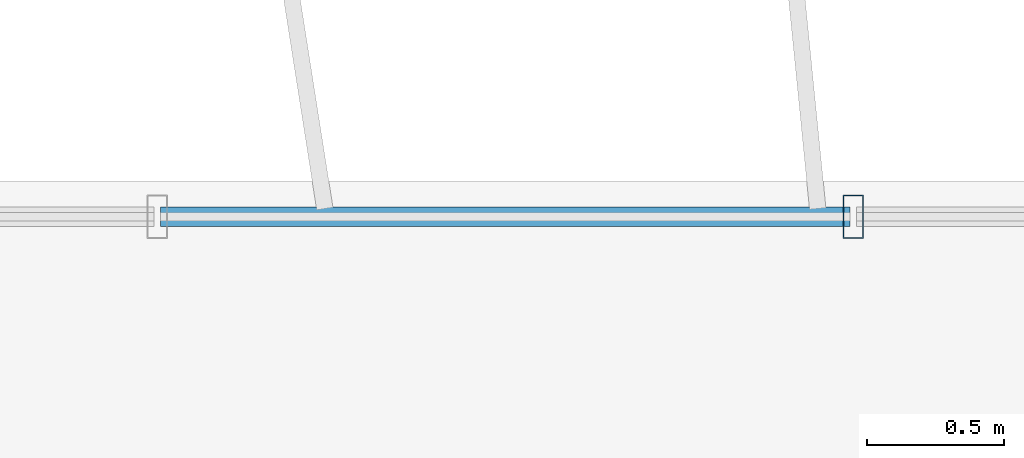
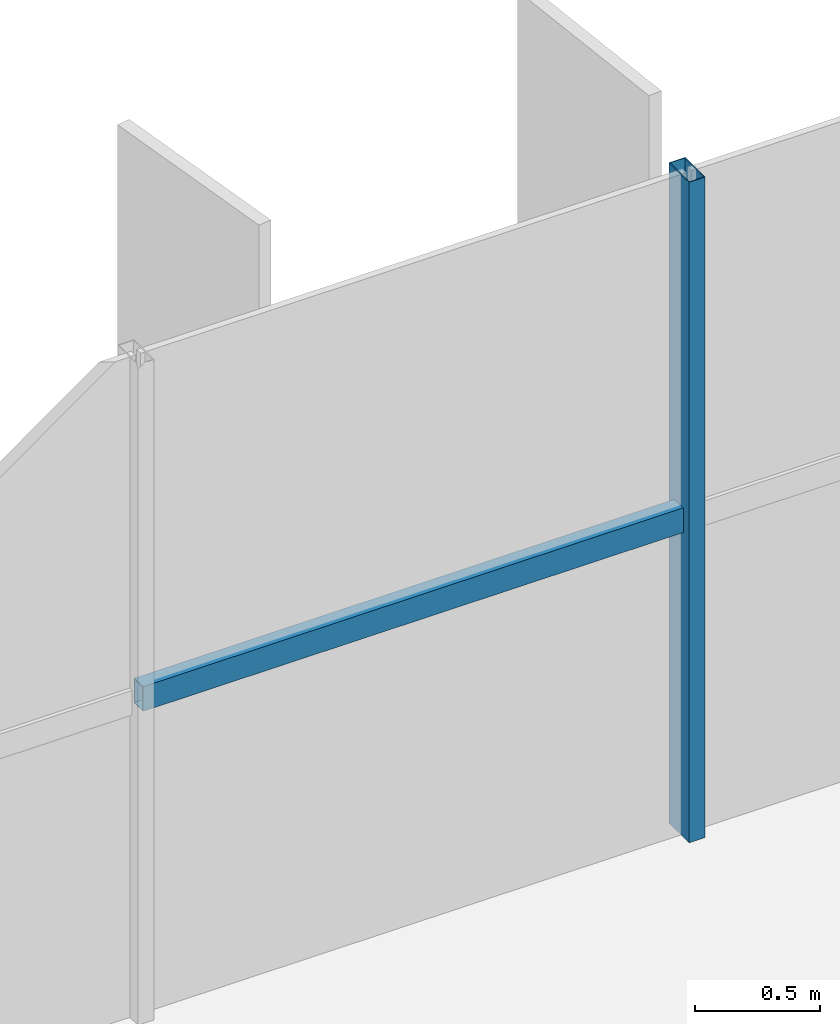
# One storey, part 11 of 25: 2 members, 1 element without a shape of its own.
"""IFC4 building model written with IfcOpenShell, lengths in metres."""

from ifc_helpers import new_model, si_unit, direction, frame, origin, origin_2d, place, context, subcontext, project, spatial, hollow_rectangle, extrude, source, transform, mapped, material, material_profile, profile_set, type_object, element, aggregate, save


model = new_model("IFC4")

# Units and contexts
model_context = context("Model", 3, precision=1e-05, world=origin(), true_north=direction((0.0, 1.0)))
body_context = subcontext(model_context, "Body", "Model", "MODEL_VIEW")
ifc_project = project(units=[si_unit("LENGTHUNIT", "METRE"), si_unit("AREAUNIT", "SQUARE_METRE"), si_unit("VOLUMEUNIT", "CUBIC_METRE"), si_unit("PLANEANGLEUNIT", "RADIAN"), si_unit("MASSUNIT", "GRAM", prefix="KILO")], contexts=[model_context])

# Site, building, storey
site_placement = place(None, origin())
site = spatial("IfcSite", under=ifc_project, at=site_placement, CompositionType="ELEMENT")
building_placement = place(site_placement, origin())
building = spatial("IfcBuilding", under=site, at=building_placement, Name="Trelvane Seafront Commons", CompositionType="ELEMENT")
storey_placement = place(building_placement, frame((0.0, 0.0, 70.300048828125)))
storey = spatial("IfcBuildingStorey", under=building, at=storey_placement, Name="L18", CompositionType="ELEMENT", Elevation=70.300048828125)

# Curtain wall, members
ifc_material = material(Name="Anodised pale-silver aluminium", Category="aluminium")
curtain_wall_type = type_object("IfcCurtainWallType", Name="ARCH-CW2-LOWTOWER", PredefinedType="NOTDEFINED", material=ifc_material)
curtain_wall_placement = place(storey_placement, origin())
curtain_wall = element("IfcCurtainWall", 1, at=curtain_wall_placement, inside=storey, type_object=curtain_wall_type, Name="CW-L18-0043", PredefinedType="NOTDEFINED")
ifc_material_profile_1 = material_profile(ifc_material, hollow_rectangle(XDim=0.070068359375, YDim=0.1201171875, WallThickness=0.00390625, at=origin_2d()), Name="TRAN-70x120x4")
ifc_profile_set_1 = profile_set([ifc_material_profile_1], Name="Anodised pale-silver aluminium")
member_type_1 = type_object("IfcMemberType", Name="ARCH-CW-TRAN-120", PredefinedType="USERDEFINED", material=ifc_profile_set_1)
shared_shape_1 = source(origin(), body_context, "Body", "SweptSolid", [
    extrude(hollow_rectangle(XDim=0.070068359375, YDim=0.1201171875, WallThickness=0.00390625, at=origin_2d()), origin(), (0.0, 0.0, 1.0), 2.517333984375),
])
member_1_placement = place(storey_placement, frame((33.400146484375, 48.3701171875, 1.5458984375), z_axis=(1.0, 0.0, 0.0), x_axis=(0.0, 1.0, 0.0)))
member_1 = element("IfcMember", 2, at=member_1_placement, type_object=member_type_1, Name="CW-L18-0043-T07", ObjectType="TRANSOM", PredefinedType="USERDEFINED", context=body_context, shape_type="MappedRepresentation", body=[
    mapped(shared_shape_1, transform((0.0, 0.0, 0.0), x_axis=(1.0, 0.0, 0.0), y_axis=(0.0, 1.0, 0.0), z_axis=(0.0, 0.0, 1.0), scale=1.0)),
])
ifc_material_profile_2 = material_profile(ifc_material, hollow_rectangle(XDim=0.074951171875, YDim=0.159912109375, WallThickness=0.00390625, at=origin_2d()), Name="MULL-75x160x4")
ifc_profile_set_2 = profile_set([ifc_material_profile_2], Name="Anodised pale-silver aluminium")
member_type_2 = type_object("IfcMemberType", Name="ARCH-CW-MULL-160", PredefinedType="MULLION", material=ifc_profile_set_2)
shared_shape_2 = source(origin(), body_context, "Body", "SweptSolid", [
    extrude(hollow_rectangle(XDim=0.074951171875, YDim=0.159912109375, WallThickness=0.00390625, at=origin_2d()), origin(), (0.0, 0.0, 1.0), 3.219970703125),
])
member_2_placement = place(storey_placement, frame((35.929443359375, 48.3701171875, 0.0), z_axis=(0.0, 0.0, 1.0), x_axis=(1.0, 0.0, 0.0)))
member_2 = element("IfcMember", 3, at=member_2_placement, type_object=member_type_2, Name="CW-L18-0043-M08", PredefinedType="MULLION", context=body_context, shape_type="MappedRepresentation", body=[
    mapped(shared_shape_2, transform((0.0, 0.0, 0.0), x_axis=(1.0, 0.0, 0.0), y_axis=(0.0, 1.0, 0.0), z_axis=(0.0, 0.0, 1.0), scale=1.0)),
])
aggregate(curtain_wall, [member_2, member_1])

save(model, "model.ifc")
